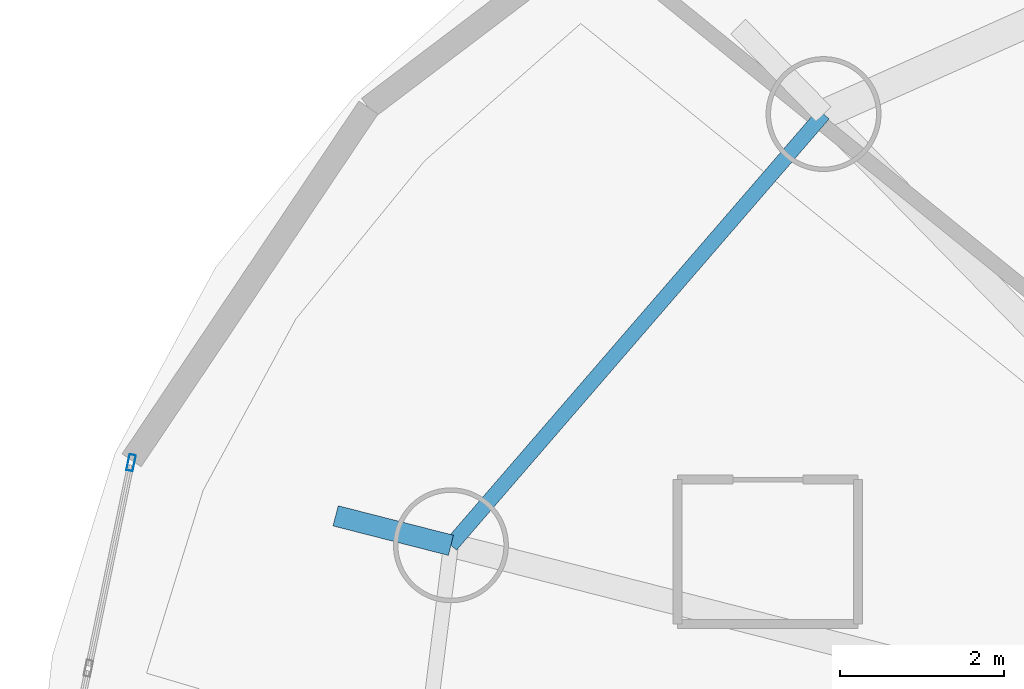
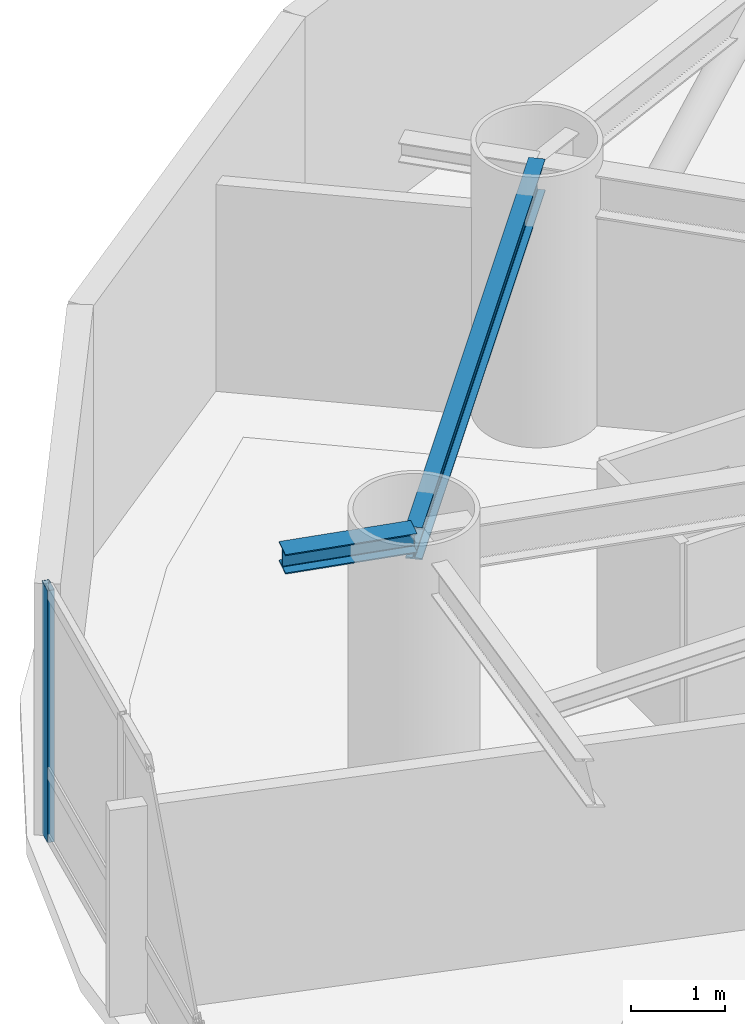
# One storey, part 14 of 26: 2 beams, 1 member, 1 element without a shape of its own.
"""IFC4 building model written with IfcOpenShell, lengths in metres."""

import ifcopenshell
import ifcopenshell.guid

model = None  # the IFC model being written
_history = None  # IfcOwnerHistory: only IFC2X3 demands one
_inside = {}  # id of a spatial element -> (the spatial element, [elements in it])
_under = {}  # id of a project, library or spatial element -> (it, [spatial elements below it])
_declared = {}  # id of a project -> (the project, [libraries it declares])
_typed = {}  # id of a type object -> (the type object, [elements of that type])
_made_of = {}  # id of a material, layer set ... -> (it, [elements and type objects made of it])


def new_model(schema):
    """Start an empty IFC model of exactly this schema.

    Asked for "IFC4X3", IfcOpenShell would pick the latest addendum, in which some entities
    have other attributes; the version numbers below select the first issue.
    IFC2X3 requires an IfcOwnerHistory on every rooted entity: one is made here for all.
    """
    global model, _history
    if schema == "IFC4X3":
        model = ifcopenshell.file(schema_version=(4, 3, 0, 0))
    else:
        model = ifcopenshell.file(schema=schema)
    _inside.clear()
    _under.clear()
    _declared.clear()
    _typed.clear()
    _made_of.clear()
    _history = None
    if model.schema == "IFC2X3":
        org = make("IfcOrganization", Name="unknown")
        user = make(
            "IfcPersonAndOrganization",
            ThePerson=make("IfcPerson", FamilyName="unknown"),
            TheOrganization=org,
        )
        app = make(
            "IfcApplication",
            ApplicationDeveloper=org,
            Version="unknown",
            ApplicationFullName="unknown",
            ApplicationIdentifier="unknown",
        )
        _history = make(
            "IfcOwnerHistory",
            OwningUser=user,
            OwningApplication=app,
            ChangeAction="ADDED",
            CreationDate=0,
        )
    return model


def make(cls, **values):
    """One entity of the class cls with the attributes given. An attribute that is None is left unset."""
    return model.create_entity(
        cls, **{name: value for name, value in values.items() if value is not None}
    )


def rooted(cls, **values):
    """An entity with a GlobalId (a new one), such as an element, a storey or a relation."""
    return make(cls, GlobalId=ifcopenshell.guid.new(), OwnerHistory=_history, **values)


def si_unit(unit_type, name, prefix=None):
    """IfcSIUnit, for example si_unit("LENGTHUNIT", "METRE", prefix="MILLI")."""
    return make("IfcSIUnit", UnitType=unit_type, Prefix=prefix, Name=name)


def assignment(units):
    """IfcUnitAssignment: the units of a project."""
    return None if units is None else make("IfcUnitAssignment", Units=units)


def point(xyz):
    """IfcCartesianPoint."""
    return None if xyz is None else make("IfcCartesianPoint", Coordinates=xyz)


def direction(xyz):
    """IfcDirection."""
    return None if xyz is None else make("IfcDirection", DirectionRatios=xyz)


def frame(location, z_axis=None, x_axis=None):
    """IfcAxis2Placement3D, a coordinate frame: its origin and axes. An axis left out is left unset."""
    return make(
        "IfcAxis2Placement3D",
        Location=point(location),
        Axis=direction(z_axis),
        RefDirection=direction(x_axis),
    )


def frame_2d(location, x_axis=None):
    """IfcAxis2Placement2D, a coordinate frame in the plane: its origin and x axis."""
    return make(
        "IfcAxis2Placement2D", Location=point(location), RefDirection=direction(x_axis)
    )


def origin():
    """The frame at (0, 0, 0) with its axes left unset."""
    return frame((0.0, 0.0, 0.0))


def origin_2d():
    """The frame at (0, 0) in the plane with its x axis left unset."""
    return frame_2d((0.0, 0.0))


def place(relative_to, where):
    """IfcLocalPlacement: puts the frame where relative to a parent placement (None: the world)."""
    return make(
        "IfcLocalPlacement", PlacementRelTo=relative_to, RelativePlacement=where
    )


def context(
    kind, dimensions, precision=None, world=None, true_north=None, identifier=None
):
    """IfcGeometricRepresentationContext, for example the 3D "Model" context."""
    return make(
        "IfcGeometricRepresentationContext",
        ContextIdentifier=identifier,
        ContextType=kind,
        CoordinateSpaceDimension=dimensions,
        Precision=precision,
        WorldCoordinateSystem=world,
        TrueNorth=true_north,
    )


def subcontext(parent, identifier, kind, view, scale=None):
    """IfcGeometricRepresentationSubContext, for example "Body" below "Model"."""
    return make(
        "IfcGeometricRepresentationSubContext",
        ContextIdentifier=identifier,
        ContextType=kind,
        ParentContext=parent,
        TargetScale=scale,
        TargetView=view,
    )


def project(units=None, contexts=None):
    """IfcProject with its units and contexts."""
    return rooted(
        "IfcProject",
        Name="project",
        RepresentationContexts=contexts,
        UnitsInContext=assignment(units),
    )


def spatial(cls, under=None, at=None, **own):
    """A site, building, storey or space (cls), placed at a placement, below another one or the project."""
    s = rooted(cls, ObjectPlacement=at, **own)
    if under is not None:
        _under.setdefault(under.id(), (under, []))[1].append(s)
    return s


def profile(cls, at=None, kind="AREA", **sizes):
    """A parametric profile (cls). Its sizes go by their IFC names, for example OverallWidth=200.0."""
    return make(cls, ProfileType=kind, Position=at, **sizes)


def hollow_rectangle(**sizes):
    """IfcRectangleHollowProfileDef."""
    return profile("IfcRectangleHollowProfileDef", **sizes)


def i_section(**sizes):
    """IfcIShapeProfileDef."""
    return profile("IfcIShapeProfileDef", **sizes)


def extrude(swept, where, along, depth):
    """IfcExtrudedAreaSolid: the profile swept, set in the frame where, extruded along a direction by depth."""
    return make(
        "IfcExtrudedAreaSolid",
        SweptArea=swept,
        Position=where,
        ExtrudedDirection=direction(along),
        Depth=depth,
    )


def shape(context_of_items, identifier, shape_type, items):
    """IfcShapeRepresentation: the items that make up one representation, for example the "Body"."""
    return make(
        "IfcShapeRepresentation",
        ContextOfItems=context_of_items,
        RepresentationIdentifier=identifier,
        RepresentationType=shape_type,
        Items=items,
    )


def material(Name=None, Category=None):
    """IfcMaterial."""
    return make("IfcMaterial", Name=Name, Category=Category)


def layer(
    of_material, thickness, ventilated=None, Name=None, Category=None, Priority=None
):
    """IfcMaterialLayer: one layer of a wall or slab, of a material (None: an air gap)."""
    return make(
        "IfcMaterialLayer",
        Material=of_material,
        LayerThickness=thickness,
        IsVentilated=ventilated,
        Name=Name,
        Category=Category,
        Priority=Priority,
    )


def layer_set(layers, Name=None):
    """IfcMaterialLayerSet."""
    return make("IfcMaterialLayerSet", MaterialLayers=layers, LayerSetName=Name)


def material_profile(
    of_material, cross_section, Name=None, Category=None, Priority=None
):
    """IfcMaterialProfile: a cross section and its material."""
    return make(
        "IfcMaterialProfile",
        Name=Name,
        Material=of_material,
        Profile=cross_section,
        Priority=Priority,
        Category=Category,
    )


def profile_set(profiles, Name=None, composite=None):
    """IfcMaterialProfileSet."""
    return make(
        "IfcMaterialProfileSet",
        Name=Name,
        MaterialProfiles=profiles,
        CompositeProfile=composite,
    )


def made_of(thing, what):
    """Note that an element or type object is made of a material, layer set ...; save() writes the relation."""
    if what is not None:
        _made_of.setdefault(what.id(), (what, []))[1].append(thing)
    return thing


def type_object(cls, material=None, **own):
    """A type object (cls), such as IfcWallType, which elements share."""
    return made_of(rooted(cls, **own), material)


def element(
    cls,
    number,
    at=None,
    inside=None,
    cuts=None,
    type_object=None,
    material=None,
    context=None,
    identifier="Body",
    shape_type=None,
    held_by="IfcProductDefinitionShape",
    body=None,
    shapes=None,
    **own,
):
    """One element of the class cls, such as IfcWall. Its Tag is "e" and its number.

    at: its placement. inside: the storey or other place that contains it. cuts: it is an
    opening in that element (IfcRelVoidsElement). A single representation is given by context,
    identifier, shape_type and body (its items); several are given by shapes. held_by: the class
    of the entity that holds the representations. save() writes the other relations.
    """
    e = rooted(cls, Tag="e%d" % number, ObjectPlacement=at, **own)
    if body is not None:
        shapes = [shape(context, identifier, shape_type, body)]
    if shapes is not None:
        e.Representation = make(held_by, Representations=shapes)
    if inside is not None:
        _inside.setdefault(inside.id(), (inside, []))[1].append(e)
    if cuts is not None:
        rooted(
            "IfcRelVoidsElement", RelatingBuildingElement=cuts, RelatedOpeningElement=e
        )
    if type_object is not None:
        _typed.setdefault(type_object.id(), (type_object, []))[1].append(e)
    return made_of(e, material)


def aggregate(whole, parts):
    """IfcRelAggregates: a whole, such as a stair, and the parts it consists of."""
    return rooted("IfcRelAggregates", RelatingObject=whole, RelatedObjects=parts)


def save(model, path):
    """Write the relations noted so far, then the file.

    IfcRelAggregates (storeys below a building ...), IfcRelContainedInSpatialStructure (elements
    in a storey), IfcRelDefinesByType, IfcRelAssociatesMaterial and IfcRelDeclares: one each for
    every whole, place, type object, material and project.
    """
    for whole, parts in _under.values():
        aggregate(whole, parts)
    for where, things in _inside.values():
        rooted(
            "IfcRelContainedInSpatialStructure",
            RelatedElements=things,
            RelatingStructure=where,
        )
    for kind, things in _typed.values():
        rooted("IfcRelDefinesByType", RelatedObjects=things, RelatingType=kind)
    for what, things in _made_of.values():
        rooted("IfcRelAssociatesMaterial", RelatedObjects=things, RelatingMaterial=what)
    for by, libraries in _declared.values():
        rooted("IfcRelDeclares", RelatingContext=by, RelatedDefinitions=libraries)
    model.write(path)


model = new_model("IFC4")

# Units and contexts
model_context = context("Model", 3, precision=1e-05, world=origin(), true_north=direction((0.0, 1.0)))
body_context = subcontext(model_context, "Body", "Model", "MODEL_VIEW")
ifc_project = project(units=[si_unit("LENGTHUNIT", "METRE"), si_unit("AREAUNIT", "SQUARE_METRE"), si_unit("VOLUMEUNIT", "CUBIC_METRE"), si_unit("PLANEANGLEUNIT", "RADIAN"), si_unit("MASSUNIT", "GRAM", prefix="KILO")], contexts=[model_context])

# Site, building, storey
site_placement = place(None, origin())
site = spatial("IfcSite", under=ifc_project, at=site_placement, CompositionType="ELEMENT")
building_placement = place(site_placement, origin())
building = spatial("IfcBuilding", under=site, at=building_placement, Name="Bramvorn Convention Spire", CompositionType="ELEMENT")
storey_placement = place(building_placement, frame((0.0, 0.0, 123.800048828125)))
storey = spatial("IfcBuildingStorey", under=building, at=storey_placement, Name="L30", CompositionType="ELEMENT", Elevation=123.800048828125)

# Beams
ifc_material_1 = material(Name="Steel CSA G40.21 Grade 350 (350W)", Category="steel")
ifc_material_profile_1 = material_profile(ifc_material_1, i_section(OverallWidth=0.25390625, OverallDepth=0.2529296875, WebThickness=0.008544921875, FlangeThickness=0.01416015625, FilletRadius=0.011962890625, at=origin_2d()))
ifc_profile_set_1 = profile_set([ifc_material_profile_1], Name="Steel CSA G40.21 Grade 350 (350W) - W250X73")
beam_type_1 = type_object("IfcBeamType", Name="BM-W250X73", PredefinedType="BEAM", material=ifc_profile_set_1)
beam_1_placement = place(storey_placement, frame((13.88232421875, 36.73779296875, 3.133544921875), z_axis=(-0.968860990037, 0.247605294742, 0.0), x_axis=(-0.247605294742, -0.968860990037, 0.0)))
element("IfcBeam", 1, at=beam_1_placement, inside=storey, type_object=beam_type_1, Name="L30 slab-edge cantilever tip beam MC09", PredefinedType="BEAM", context=body_context, shape_type="SweptSolid", body=[
    extrude(i_section(OverallWidth=0.25390625, OverallDepth=0.2529296875, WebThickness=0.008544921875, FlangeThickness=0.01416015625, FilletRadius=0.011962890625, at=origin_2d()), origin(), (0.0, 0.0, 1.0), 1.449462890625),
])
ifc_material_profile_2 = material_profile(ifc_material_1, i_section(OverallWidth=0.180908203125, OverallDepth=0.4169921875, WebThickness=0.010986328125, FlangeThickness=0.018310546875, FilletRadius=0.01611328125, at=origin_2d()))
ifc_profile_set_2 = profile_set([ifc_material_profile_2], Name="Steel CSA G40.21 Grade 350 (350W) - W410X85")
beam_type_2 = type_object("IfcBeamType", Name="BM-W410X85", PredefinedType="JOIST", material=ifc_profile_set_2)
beam_2_placement = place(storey_placement, frame((18.420166015625, 41.9892578125, 3.051513671875), z_axis=(-0.653824993824, -0.756645807132, 0.0), x_axis=(0.756645807132, -0.653824993824, 0.0)))
element("IfcBeam", 2, at=beam_2_placement, inside=storey, type_object=beam_type_2, Name="L30 mega-column ring beam 08", PredefinedType="JOIST", context=body_context, shape_type="SweptSolid", body=[
    extrude(i_section(OverallWidth=0.180908203125, OverallDepth=0.4169921875, WebThickness=0.010986328125, FlangeThickness=0.018310546875, FilletRadius=0.01611328125, at=origin_2d()), origin(), (0.0, 0.0, 1.0), 6.9404296875),
])

# Curtain wall, member
ifc_material_2 = material(Name="Anodised Bronze Unitised Curtain Wall", Category="aluminium")
ifc_layer = layer(ifc_material_2, 0.179931640625)
ifc_layer_set = layer_set([ifc_layer], Name="Anodised Bronze Unitised Curtain Wall - CW-HTL-FRIT")
curtain_wall_type = type_object("IfcCurtainWallType", Name="CW-HTL-FRIT", PredefinedType="USERDEFINED", material=ifc_layer_set)
curtain_wall_placement = place(storey_placement, origin())
curtain_wall = element("IfcCurtainWall", 3, at=curtain_wall_placement, inside=storey, type_object=curtain_wall_type, Name="L30 fritted glass curtain wall 13", ObjectType="UNITISED CURTAIN WALL", PredefinedType="USERDEFINED")
ifc_material_3 = material(Name="Anodised Bronze Aluminium 6063-T6", Category="aluminium")
ifc_material_profile_3 = material_profile(ifc_material_3, hollow_rectangle(XDim=0.080078125, YDim=0.199951171875, WallThickness=0.00390625, InnerFilletRadius=0.0009765625, OuterFilletRadius=0.00390625, at=origin_2d()))
ifc_profile_set_3 = profile_set([ifc_material_profile_3], Name="Anodised Bronze Aluminium 6063-T6 - CWM80X200")
member_type = type_object("IfcMemberType", Name="CW-MUL-180", PredefinedType="MULLION", material=ifc_profile_set_3)
member_placement = place(storey_placement, frame((9.98779296875, 37.743408203125, 0.0), z_axis=(0.0, 0.0, 1.0), x_axis=(-0.979146025105, 0.203157725724, 0.0)))
member = element("IfcMember", 4, at=member_placement, type_object=member_type, Name="CW2 mullion 3", PredefinedType="MULLION", context=body_context, shape_type="SweptSolid", body=[
    extrude(hollow_rectangle(XDim=0.080078125, YDim=0.199951171875, WallThickness=0.00390625, InnerFilletRadius=0.0009765625, OuterFilletRadius=0.00390625, at=origin_2d()), origin(), (0.0, 0.0, 1.0), 3.260009765625),
])
aggregate(curtain_wall, [member])

save(model, "model.ifc")
